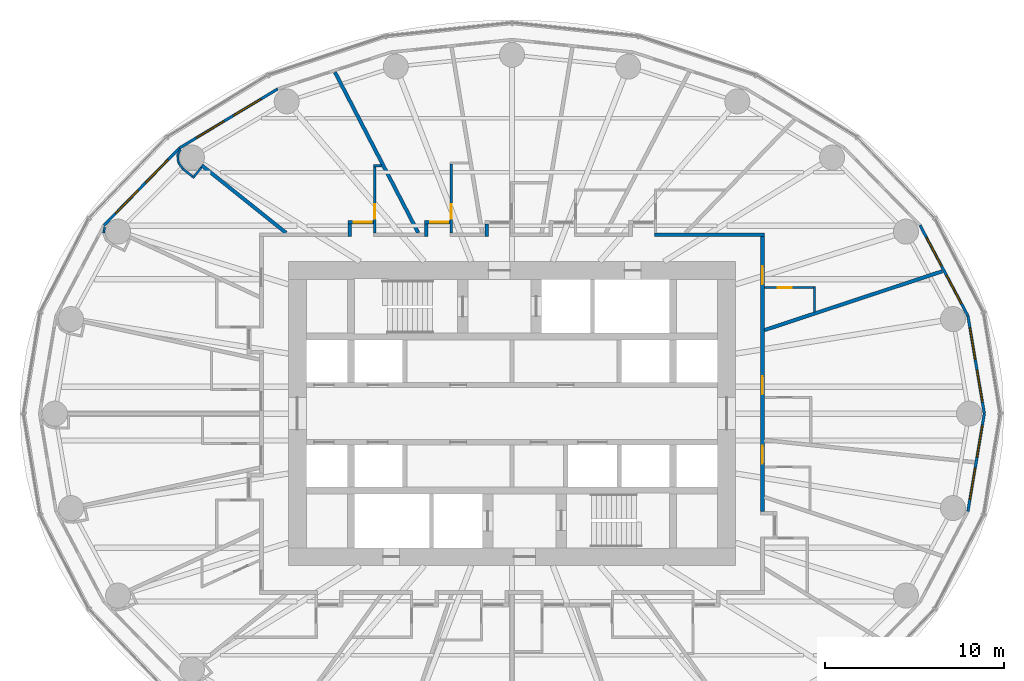
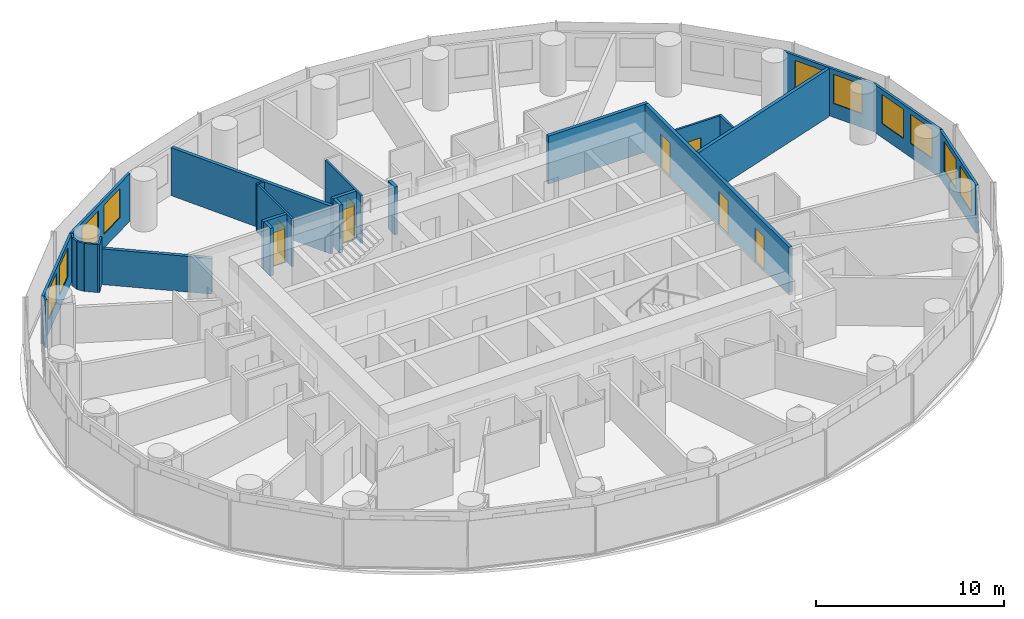
# One storey, part 11 of 14: 26 walls, 10 windows, 8 doors, 18 openings.
"""IFC4 building model written with IfcOpenShell, lengths in metres."""

from ifc_helpers import new_model, si_unit, direction, frame, frame_2d, origin, place, context, subcontext, project, spatial, rectangle, extrude, material, layer, layer_set, type_object, element, fill, save


model = new_model("IFC4")

# Units and contexts
model_context = context("Model", 3, precision=1e-05, world=origin(), true_north=direction((0.0, 1.0)))
body_context = subcontext(model_context, "Body", "Model", "MODEL_VIEW")
ifc_project = project(units=[si_unit("LENGTHUNIT", "METRE"), si_unit("AREAUNIT", "SQUARE_METRE"), si_unit("VOLUMEUNIT", "CUBIC_METRE"), si_unit("PLANEANGLEUNIT", "RADIAN"), si_unit("MASSUNIT", "GRAM", prefix="KILO")], contexts=[model_context])

# Site, building, storey
site_placement = place(None, origin())
site = spatial("IfcSite", under=ifc_project, at=site_placement, CompositionType="ELEMENT")
building_placement = place(site_placement, origin())
building = spatial("IfcBuilding", under=site, at=building_placement, Name="Hankou Lantern Tower", CompositionType="ELEMENT")
storey_placement = place(building_placement, frame((0.0, 0.0, 57.300048828125)))
storey = spatial("IfcBuildingStorey", under=building, at=storey_placement, Name="L13", CompositionType="ELEMENT", Elevation=57.300048828125)

# Wall, openings, windows
ifc_material_1 = material(Name="Aluminium spandrel panel on steel studs", Category="steel")
ifc_layer_1 = layer(ifc_material_1, 0.14990234375)
ifc_layer_set_1 = layer_set([ifc_layer_1], Name="Aluminium spandrel panel on steel studs")
wall_type_1 = type_object("IfcWallType", Name="EW1 INNER SKIN WALL 150", PredefinedType="ELEMENTEDWALL", material=ifc_layer_set_1)
wall_1_placement = place(storey_placement, frame((26.39990234375, 0.0, 0.0), z_axis=(0.0, 0.0, 1.0), x_axis=(-0.165642551694, 0.986185857264, 0.0)))
wall_1 = element("IfcWall", 1, at=wall_1_placement, inside=storey, type_object=wall_type_1, Name="Inner skin R01-R02 L13", PredefinedType="ELEMENTEDWALL", context=body_context, shape_type="SweptSolid", body=[
    extrude(rectangle(XDim=5.538818359375, YDim=0.14990234375, at=frame_2d((2.76953125, 0.0))), origin(), (0.0, 0.0, 1.0), 3.119873046875),
])
opening_1_placement = place(wall_1_placement, frame((0.66943359375, 0.0, 0.89990234375)))
opening_1 = element("IfcOpeningElement", 2, at=opening_1_placement, cuts=wall_1, Name="Opening W1", PredefinedType="OPENING", context=body_context, shape_type="SweptSolid", body=[
    extrude(rectangle(XDim=1.800048828125, YDim=1.89990234375, at=frame_2d((0.89990234375, 0.949951171875))), frame((0.0, 0.0849609375, 0.0), z_axis=(0.0, -1.0, 0.0), x_axis=(1.0, 0.0, 0.0)), (0.0, 0.0, 1.0), 0.169921875),
])
opening_2_placement = place(wall_1_placement, frame((3.069580078125, 0.0, 0.89990234375)))
opening_2 = element("IfcOpeningElement", 3, at=opening_2_placement, cuts=wall_1, Name="Opening W1", PredefinedType="OPENING", context=body_context, shape_type="SweptSolid", body=[
    extrude(rectangle(XDim=1.800048828125, YDim=1.89990234375, at=frame_2d((0.89990234375, 0.949951171875))), frame((0.0, 0.0849609375, 0.0), z_axis=(0.0, -1.0, 0.0), x_axis=(1.0, 0.0, 0.0)), (0.0, 0.0, 1.0), 0.169921875),
])
ifc_material_2 = material(Name="Aluminium framed double glazed window", Category="aluminium")
window_type = type_object("IfcWindowType", Name="W1 GUEST ROOM WINDOW 1800X1900", PartitioningType="DOUBLE_PANEL_VERTICAL", PredefinedType="WINDOW", material=ifc_material_2)
window_1_placement = place(opening_1_placement, origin())
window_1 = element("IfcWindow", 4, at=window_1_placement, inside=storey, type_object=window_type, Name="Window R01.1 L13", OverallHeight=1.89990234375, OverallWidth=1.800048828125, PartitioningType="SINGLE_PANEL", PredefinedType="WINDOW", context=body_context, shape_type="SweptSolid", body=[
    extrude(rectangle(XDim=1.800048828125, YDim=1.89990234375, at=frame_2d((0.89990234375, 0.949951171875))), frame((0.0, 0.030029296875, 0.0), z_axis=(0.0, -1.0, 0.0), x_axis=(1.0, 0.0, 0.0)), (0.0, 0.0, 1.0), 0.06005859375),
])
fill(opening_1, window_1)
window_2_placement = place(opening_2_placement, origin())
window_2 = element("IfcWindow", 5, at=window_2_placement, inside=storey, type_object=window_type, Name="Window R01.2 L13", OverallHeight=1.89990234375, OverallWidth=1.800048828125, PartitioningType="SINGLE_PANEL", PredefinedType="WINDOW", context=body_context, shape_type="SweptSolid", body=[
    extrude(rectangle(XDim=1.800048828125, YDim=1.89990234375, at=frame_2d((0.89990234375, 0.949951171875))), frame((0.0, 0.030029296875, 0.0), z_axis=(0.0, -1.0, 0.0), x_axis=(1.0, 0.0, 0.0)), (0.0, 0.0, 1.0), 0.06005859375),
])
fill(opening_2, window_2)

wall_2_placement = place(storey_placement, frame((25.482421875, 5.46240234375, 0.0), z_axis=(0.0, 0.0, 1.0), x_axis=(-0.467296867008, 0.884100468321, 0.0)))
wall_2 = element("IfcWall", 6, at=wall_2_placement, inside=storey, type_object=wall_type_1, Name="Inner skin R02-R03 L13", PredefinedType="ELEMENTEDWALL", context=body_context, shape_type="SweptSolid", body=[
    extrude(rectangle(XDim=5.734375, YDim=0.14990234375, at=frame_2d((2.8671875, 0.0))), origin(), (0.0, 0.0, 1.0), 3.119873046875),
])
opening_3_placement = place(wall_2_placement, frame((0.76708984375, 0.0, 0.89990234375)))
opening_3 = element("IfcOpeningElement", 7, at=opening_3_placement, cuts=wall_2, Name="Opening W1", PredefinedType="OPENING", context=body_context, shape_type="SweptSolid", body=[
    extrude(rectangle(XDim=1.800048828125, YDim=1.89990234375, at=frame_2d((0.89990234375, 0.949951171875))), frame((0.0, 0.0849609375, 0.0), z_axis=(0.0, -1.0, 0.0), x_axis=(1.0, 0.0, 0.0)), (0.0, 0.0, 1.0), 0.169921875),
])
opening_4_placement = place(wall_2_placement, frame((3.167236328125, 0.0, 0.89990234375)))
opening_4 = element("IfcOpeningElement", 8, at=opening_4_placement, cuts=wall_2, Name="Opening W1", PredefinedType="OPENING", context=body_context, shape_type="SweptSolid", body=[
    extrude(rectangle(XDim=1.800048828125, YDim=1.89990234375, at=frame_2d((0.89990234375, 0.949951171875))), frame((0.0, 0.0849609375, 0.0), z_axis=(0.0, -1.0, 0.0), x_axis=(1.0, 0.0, 0.0)), (0.0, 0.0, 1.0), 0.169921875),
])
window_3_placement = place(opening_3_placement, origin())
window_3 = element("IfcWindow", 9, at=window_3_placement, inside=storey, type_object=window_type, Name="Window R02.1 L13", OverallHeight=1.89990234375, OverallWidth=1.800048828125, PartitioningType="SINGLE_PANEL", PredefinedType="WINDOW", context=body_context, shape_type="SweptSolid", body=[
    extrude(rectangle(XDim=1.800048828125, YDim=1.89990234375, at=frame_2d((0.89990234375, 0.949951171875))), frame((0.0, 0.030029296875, 0.0), z_axis=(0.0, -1.0, 0.0), x_axis=(1.0, 0.0, 0.0)), (0.0, 0.0, 1.0), 0.06005859375),
])
fill(opening_3, window_3)
window_4_placement = place(opening_4_placement, origin())
window_4 = element("IfcWindow", 10, at=window_4_placement, inside=storey, type_object=window_type, Name="Window R02.2 L13", OverallHeight=1.89990234375, OverallWidth=1.800048828125, PartitioningType="SINGLE_PANEL", PredefinedType="WINDOW", context=body_context, shape_type="SweptSolid", body=[
    extrude(rectangle(XDim=1.800048828125, YDim=1.89990234375, at=frame_2d((0.89990234375, 0.949951171875))), frame((0.0, 0.030029296875, 0.0), z_axis=(0.0, -1.0, 0.0), x_axis=(1.0, 0.0, 0.0)), (0.0, 0.0, 1.0), 0.06005859375),
])
fill(opening_4, window_4)

wall_3_placement = place(storey_placement, frame((-13.096435546875, 18.14697265625, 0.0), z_axis=(0.0, 0.0, 1.0), x_axis=(-0.856983180864, -0.515344377787, 0.0)))
wall_3 = element("IfcWall", 11, at=wall_3_placement, inside=storey, type_object=wall_type_1, Name="Inner skin R09-R10 L13", PredefinedType="ELEMENTEDWALL", context=body_context, shape_type="SweptSolid", body=[
    extrude(rectangle(XDim=6.386474609375, YDim=0.14990234375, at=frame_2d((3.193359375, 0.0))), origin(), (0.0, 0.0, 1.0), 3.119873046875),
])
opening_5_placement = place(wall_3_placement, frame((1.09326171875, 0.0, 0.89990234375)))
opening_5 = element("IfcOpeningElement", 12, at=opening_5_placement, cuts=wall_3, Name="Opening W1", PredefinedType="OPENING", context=body_context, shape_type="SweptSolid", body=[
    extrude(rectangle(XDim=1.800048828125, YDim=1.89990234375, at=frame_2d((0.89990234375, 0.949951171875))), frame((0.0, 0.0849609375, 0.0), z_axis=(0.0, -1.0, 0.0), x_axis=(1.0, 0.0, 0.0)), (0.0, 0.0, 1.0), 0.169921875),
])
opening_6_placement = place(wall_3_placement, frame((3.4931640625, 0.0, 0.89990234375)))
opening_6 = element("IfcOpeningElement", 13, at=opening_6_placement, cuts=wall_3, Name="Opening W1", PredefinedType="OPENING", context=body_context, shape_type="SweptSolid", body=[
    extrude(rectangle(XDim=1.800048828125, YDim=1.89990234375, at=frame_2d((0.89990234375, 0.949951171875))), frame((0.0, 0.0849609375, 0.0), z_axis=(0.0, -1.0, 0.0), x_axis=(1.0, 0.0, 0.0)), (0.0, 0.0, 1.0), 0.169921875),
])
window_5_placement = place(opening_5_placement, origin())
window_5 = element("IfcWindow", 14, at=window_5_placement, inside=storey, type_object=window_type, Name="Window R09.1 L13", OverallHeight=1.89990234375, OverallWidth=1.800048828125, PartitioningType="SINGLE_PANEL", PredefinedType="WINDOW", context=body_context, shape_type="SweptSolid", body=[
    extrude(rectangle(XDim=1.800048828125, YDim=1.89990234375, at=frame_2d((0.89990234375, 0.949951171875))), frame((0.0, 0.030029296875, 0.0), z_axis=(0.0, -1.0, 0.0), x_axis=(1.0, 0.0, 0.0)), (0.0, 0.0, 1.0), 0.06005859375),
])
fill(opening_5, window_5)
window_6_placement = place(opening_6_placement, origin())
window_6 = element("IfcWindow", 15, at=window_6_placement, inside=storey, type_object=window_type, Name="Window R09.2 L13", OverallHeight=1.89990234375, OverallWidth=1.800048828125, PartitioningType="SINGLE_PANEL", PredefinedType="WINDOW", context=body_context, shape_type="SweptSolid", body=[
    extrude(rectangle(XDim=1.800048828125, YDim=1.89990234375, at=frame_2d((0.89990234375, 0.949951171875))), frame((0.0, 0.030029296875, 0.0), z_axis=(0.0, -1.0, 0.0), x_axis=(1.0, 0.0, 0.0)), (0.0, 0.0, 1.0), 0.06005859375),
])
fill(opening_6, window_6)

wall_4_placement = place(storey_placement, frame((-18.569580078125, 14.855712890625, 0.0), z_axis=(0.0, 0.0, 1.0), x_axis=(-0.699602905915, -0.714531856557, 0.0)))
wall_4 = element("IfcWall", 16, at=wall_4_placement, inside=storey, type_object=wall_type_1, Name="Inner skin R10-R11 L13", PredefinedType="ELEMENTEDWALL", context=body_context, shape_type="SweptSolid", body=[
    extrude(rectangle(XDim=6.05078125, YDim=0.14990234375, at=frame_2d((3.025390625, 0.0))), origin(), (0.0, 0.0, 1.0), 3.119873046875),
])
opening_7_placement = place(wall_4_placement, frame((0.925537109375, 0.0, 0.89990234375)))
opening_7 = element("IfcOpeningElement", 17, at=opening_7_placement, cuts=wall_4, Name="Opening W1", PredefinedType="OPENING", context=body_context, shape_type="SweptSolid", body=[
    extrude(rectangle(XDim=1.800048828125, YDim=1.89990234375, at=frame_2d((0.89990234375, 0.949951171875))), frame((0.0, 0.0849609375, 0.0), z_axis=(0.0, -1.0, 0.0), x_axis=(1.0, 0.0, 0.0)), (0.0, 0.0, 1.0), 0.169921875),
])
opening_8_placement = place(wall_4_placement, frame((3.325439453125, 0.0, 0.89990234375)))
opening_8 = element("IfcOpeningElement", 18, at=opening_8_placement, cuts=wall_4, Name="Opening W1", PredefinedType="OPENING", context=body_context, shape_type="SweptSolid", body=[
    extrude(rectangle(XDim=1.800048828125, YDim=1.89990234375, at=frame_2d((0.89990234375, 0.949951171875))), frame((0.0, 0.0849609375, 0.0), z_axis=(0.0, -1.0, 0.0), x_axis=(1.0, 0.0, 0.0)), (0.0, 0.0, 1.0), 0.169921875),
])
window_7_placement = place(opening_7_placement, origin())
window_7 = element("IfcWindow", 19, at=window_7_placement, inside=storey, type_object=window_type, Name="Window R10.1 L13", OverallHeight=1.89990234375, OverallWidth=1.800048828125, PartitioningType="SINGLE_PANEL", PredefinedType="WINDOW", context=body_context, shape_type="SweptSolid", body=[
    extrude(rectangle(XDim=1.800048828125, YDim=1.89990234375, at=frame_2d((0.89990234375, 0.949951171875))), frame((0.0, 0.030029296875, 0.0), z_axis=(0.0, -1.0, 0.0), x_axis=(1.0, 0.0, 0.0)), (0.0, 0.0, 1.0), 0.06005859375),
])
fill(opening_7, window_7)
window_8_placement = place(opening_8_placement, origin())
window_8 = element("IfcWindow", 20, at=window_8_placement, inside=storey, type_object=window_type, Name="Window R10.2 L13", OverallHeight=1.89990234375, OverallWidth=1.800048828125, PartitioningType="SINGLE_PANEL", PredefinedType="WINDOW", context=body_context, shape_type="SweptSolid", body=[
    extrude(rectangle(XDim=1.800048828125, YDim=1.89990234375, at=frame_2d((0.89990234375, 0.949951171875))), frame((0.0, 0.030029296875, 0.0), z_axis=(0.0, -1.0, 0.0), x_axis=(1.0, 0.0, 0.0)), (0.0, 0.0, 1.0), 0.06005859375),
])
fill(opening_8, window_8)

wall_5_placement = place(storey_placement, frame((25.482421875, -5.46240234375, 0.0), z_axis=(0.0, 0.0, 1.0), x_axis=(0.165642551694, 0.986185857264, 0.0)))
wall_5 = element("IfcWall", 21, at=wall_5_placement, inside=storey, type_object=wall_type_1, Name="Inner skin R24-R01 L13", PredefinedType="ELEMENTEDWALL", context=body_context, shape_type="SweptSolid", body=[
    extrude(rectangle(XDim=5.538818359375, YDim=0.14990234375, at=frame_2d((2.76953125, 0.0))), origin(), (0.0, 0.0, 1.0), 3.119873046875),
])
opening_9_placement = place(wall_5_placement, frame((0.66943359375, 0.0, 0.89990234375)))
opening_9 = element("IfcOpeningElement", 22, at=opening_9_placement, cuts=wall_5, Name="Opening W1", PredefinedType="OPENING", context=body_context, shape_type="SweptSolid", body=[
    extrude(rectangle(XDim=1.800048828125, YDim=1.89990234375, at=frame_2d((0.89990234375, 0.949951171875))), frame((0.0, 0.0849609375, 0.0), z_axis=(0.0, -1.0, 0.0), x_axis=(1.0, 0.0, 0.0)), (0.0, 0.0, 1.0), 0.169921875),
])
opening_10_placement = place(wall_5_placement, frame((3.069580078125, 0.0, 0.89990234375)))
opening_10 = element("IfcOpeningElement", 23, at=opening_10_placement, cuts=wall_5, Name="Opening W1", PredefinedType="OPENING", context=body_context, shape_type="SweptSolid", body=[
    extrude(rectangle(XDim=1.800048828125, YDim=1.89990234375, at=frame_2d((0.89990234375, 0.949951171875))), frame((0.0, 0.0849609375, 0.0), z_axis=(0.0, -1.0, 0.0), x_axis=(1.0, 0.0, 0.0)), (0.0, 0.0, 1.0), 0.169921875),
])
window_9_placement = place(opening_9_placement, origin())
window_9 = element("IfcWindow", 24, at=window_9_placement, inside=storey, type_object=window_type, Name="Window R24.1 L13", OverallHeight=1.89990234375, OverallWidth=1.800048828125, PartitioningType="SINGLE_PANEL", PredefinedType="WINDOW", context=body_context, shape_type="SweptSolid", body=[
    extrude(rectangle(XDim=1.800048828125, YDim=1.89990234375, at=frame_2d((0.89990234375, 0.949951171875))), frame((0.0, 0.030029296875, 0.0), z_axis=(0.0, -1.0, 0.0), x_axis=(1.0, 0.0, 0.0)), (0.0, 0.0, 1.0), 0.06005859375),
])
fill(opening_9, window_9)
window_10_placement = place(opening_10_placement, origin())
window_10 = element("IfcWindow", 25, at=window_10_placement, inside=storey, type_object=window_type, Name="Window R24.2 L13", OverallHeight=1.89990234375, OverallWidth=1.800048828125, PartitioningType="SINGLE_PANEL", PredefinedType="WINDOW", context=body_context, shape_type="SweptSolid", body=[
    extrude(rectangle(XDim=1.800048828125, YDim=1.89990234375, at=frame_2d((0.89990234375, 0.949951171875))), frame((0.0, 0.030029296875, 0.0), z_axis=(0.0, -1.0, 0.0), x_axis=(1.0, 0.0, 0.0)), (0.0, 0.0, 1.0), 0.06005859375),
])
fill(opening_10, window_10)

# Walls
ifc_material_3 = material(Name="Masonry lightweight concrete block", Category="masonry")
ifc_layer_2 = layer(ifc_material_3, 0.199951171875)
ifc_layer_set_2 = layer_set([ifc_layer_2], Name="Masonry lightweight concrete block")
wall_type_2 = type_object("IfcWallType", Name="IW1 GUEST ROOM PARTY WALL 200", PredefinedType="PARTITIONING", material=ifc_layer_set_2)
wall_6_placement = place(storey_placement, frame((14.10009765625, 4.6630859375, 0.0), z_axis=(0.0, 0.0, 1.0), x_axis=(0.949432655039, 0.31397075269, 0.0)))
element("IfcWall", 26, at=wall_6_placement, inside=storey, type_object=wall_type_2, Name="Party wall R02-R03", PredefinedType="PARTITIONING", context=body_context, shape_type="SweptSolid", body=[
    extrude(rectangle(XDim=10.48583984375, YDim=0.199951171875, at=frame_2d((5.242919921875, 0.0))), origin(), (0.0, 0.0, 1.0), 3.119873046875),
])
wall_7_placement = place(storey_placement, frame((-5.238525390625, 10.10009765625, 0.0), z_axis=(0.0, 0.0, 1.0), x_axis=(-0.460422783389, 0.887699758103, 0.0)))
element("IfcWall", 27, at=wall_7_placement, inside=storey, type_object=wall_type_2, Name="Party wall R08-R09", PredefinedType="PARTITIONING", context=body_context, shape_type="SweptSolid", body=[
    extrude(rectangle(XDim=10.120361328125, YDim=0.199951171875, at=frame_2d((5.06005859375, 0.0))), origin(), (0.0, 0.0, 1.0), 3.119873046875),
])
ifc_material_4 = material(Name="Masonry lightweight concrete block", Category="masonry")
ifc_layer_3 = layer(ifc_material_4, 0.199951171875)
ifc_layer_set_3 = layer_set([ifc_layer_3], Name="Masonry lightweight concrete block")
wall_type_3 = type_object("IfcWallType", Name="IW2 CORRIDOR WALL 200", PredefinedType="PARTITIONING", material=ifc_layer_set_3)
wall_8_placement = place(storey_placement, frame((-1.4150390625, 9.89990234375, 0.0), z_axis=(0.0, 0.0, 1.0), x_axis=(0.0, 1.0, 0.0)))
element("IfcWall", 28, at=wall_8_placement, inside=storey, type_object=wall_type_3, Name="Corridor recess wall 1303 side", PredefinedType="PARTITIONING", context=body_context, shape_type="SweptSolid", body=[
    extrude(rectangle(XDim=0.7001953125, YDim=0.199951171875, at=frame_2d((0.35009765625, 0.0))), origin(), (0.0, 0.0, 1.0), 3.119873046875),
])

# Wall, opening, door
wall_9_placement = place(storey_placement, frame((-4.89501953125, 10.699951171875, 0.0), z_axis=(0.0, 0.0, 1.0), x_axis=(1.0, 0.0, 0.0)))
wall_9 = element("IfcWall", 29, at=wall_9_placement, inside=storey, type_object=wall_type_3, Name="Corridor recess wall 1304 back", PredefinedType="PARTITIONING", context=body_context, shape_type="SweptSolid", body=[
    extrude(rectangle(XDim=1.43994140625, YDim=0.199951171875, at=frame_2d((0.719970703125, 0.0))), origin(), (0.0, 0.0, 1.0), 3.119873046875),
])
opening_11_placement = place(wall_9_placement, frame((0.320068359375, 0.0, 0.0)))
opening_11 = element("IfcOpeningElement", 30, at=opening_11_placement, cuts=wall_9, Name="Opening D1", PredefinedType="OPENING", context=body_context, shape_type="SweptSolid", body=[
    extrude(rectangle(XDim=1.0, YDim=2.199951171875, at=frame_2d((0.5, 1.10009765625))), frame((0.0, 0.10986328125, 0.0), z_axis=(0.0, -1.0, 0.0), x_axis=(1.0, 0.0, 0.0)), (0.0, 0.0, 1.0), 0.219970703125),
])
ifc_material_5 = material(Name="Steel door leaf", Category="steel")
door_type_1 = type_object("IfcDoorType", Name="D1 GUEST ROOM DOOR 1000X2200", OperationType="SINGLE_SWING_LEFT", PredefinedType="DOOR", material=ifc_material_5)
door_1_placement = place(opening_11_placement, origin())
door_1 = element("IfcDoor", 31, at=door_1_placement, inside=storey, type_object=door_type_1, Name="Guest room door 1304", OperationType="SINGLE_SWING_RIGHT", OverallHeight=2.199951171875, OverallWidth=1.0, PredefinedType="DOOR", context=body_context, shape_type="SweptSolid", body=[
    extrude(rectangle(XDim=1.0, YDim=2.199951171875, at=frame_2d((0.5, 1.10009765625))), frame((0.0, 0.02490234375, 0.0), z_axis=(0.0, -1.0, 0.0), x_axis=(1.0, 0.0, 0.0)), (0.0, 0.0, 1.0), 0.050048828125),
])
fill(opening_11, door_1)

# Wall
wall_10_placement = place(storey_placement, frame((-4.794921875, 9.89990234375, 0.0), z_axis=(0.0, 0.0, 1.0), x_axis=(0.0, 1.0, 0.0)))
element("IfcWall", 32, at=wall_10_placement, inside=storey, type_object=wall_type_3, Name="Corridor recess wall 1304 side", PredefinedType="PARTITIONING", context=body_context, shape_type="SweptSolid", body=[
    extrude(rectangle(XDim=0.7001953125, YDim=0.199951171875, at=frame_2d((0.35009765625, 0.0))), origin(), (0.0, 0.0, 1.0), 3.119873046875),
])

# Wall, opening, door
wall_11_placement = place(storey_placement, frame((-9.168701171875, 10.699951171875, 0.0), z_axis=(0.0, 0.0, 1.0), x_axis=(1.0, 0.0, 0.0)))
wall_11 = element("IfcWall", 33, at=wall_11_placement, inside=storey, type_object=wall_type_3, Name="Corridor recess wall 1305 back", PredefinedType="PARTITIONING", context=body_context, shape_type="SweptSolid", body=[
    extrude(rectangle(XDim=1.440185546875, YDim=0.199951171875, at=frame_2d((0.72021484375, 0.0))), origin(), (0.0, 0.0, 1.0), 3.119873046875),
])
opening_12_placement = place(wall_11_placement, frame((0.320068359375, 0.0, 0.0)))
opening_12 = element("IfcOpeningElement", 34, at=opening_12_placement, cuts=wall_11, Name="Opening D1", PredefinedType="OPENING", context=body_context, shape_type="SweptSolid", body=[
    extrude(rectangle(XDim=1.0, YDim=2.199951171875, at=frame_2d((0.5, 1.10009765625))), frame((0.0, 0.10986328125, 0.0), z_axis=(0.0, -1.0, 0.0), x_axis=(1.0, 0.0, 0.0)), (0.0, 0.0, 1.0), 0.219970703125),
])
door_2_placement = place(opening_12_placement, origin())
door_2 = element("IfcDoor", 35, at=door_2_placement, inside=storey, type_object=door_type_1, Name="Guest room door 1305", OperationType="SINGLE_SWING_RIGHT", OverallHeight=2.199951171875, OverallWidth=1.0, PredefinedType="DOOR", context=body_context, shape_type="SweptSolid", body=[
    extrude(rectangle(XDim=1.0, YDim=2.199951171875, at=frame_2d((0.5, 1.10009765625))), frame((0.0, 0.02490234375, 0.0), z_axis=(0.0, -1.0, 0.0), x_axis=(1.0, 0.0, 0.0)), (0.0, 0.0, 1.0), 0.050048828125),
])
fill(opening_12, door_2)

# Walls
wall_12_placement = place(storey_placement, frame((-9.068603515625, 9.89990234375, 0.0), z_axis=(0.0, 0.0, 1.0), x_axis=(0.0, 1.0, 0.0)))
element("IfcWall", 36, at=wall_12_placement, inside=storey, type_object=wall_type_3, Name="Corridor recess wall 1305 side", PredefinedType="PARTITIONING", context=body_context, shape_type="SweptSolid", body=[
    extrude(rectangle(XDim=0.7001953125, YDim=0.199951171875, at=frame_2d((0.35009765625, 0.0))), origin(), (0.0, 0.0, 1.0), 3.119873046875),
])
wall_13_placement = place(storey_placement, frame((7.965087890625, 10.0, 0.0), z_axis=(0.0, 0.0, 1.0), x_axis=(1.0, 0.0, 0.0)))
element("IfcWall", 37, at=wall_13_placement, inside=storey, type_object=wall_type_3, Name="Corridor wall north", PredefinedType="PARTITIONING", context=body_context, shape_type="SweptSolid", body=[
    extrude(rectangle(XDim=6.135009765625, YDim=0.199951171875, at=frame_2d((3.0673828125, 0.0))), origin(), (0.0, 0.0, 1.0), 3.119873046875),
])

# Wall, openings, doors
wall_14_placement = place(storey_placement, frame((14.0, -5.458984375, 0.0), z_axis=(0.0, 0.0, 1.0), x_axis=(0.0, 1.0, 0.0)))
wall_14 = element("IfcWall", 38, at=wall_14_placement, inside=storey, type_object=wall_type_3, Name="Corridor wall east", PredefinedType="PARTITIONING", context=body_context, shape_type="SweptSolid", body=[
    extrude(rectangle(XDim=15.35888671875, YDim=0.199951171875, at=frame_2d((7.679443359375, 0.0))), origin(), (0.0, 0.0, 1.0), 3.119873046875),
])
opening_13_placement = place(wall_14_placement, frame((2.656005859375, 0.0, 0.0)))
opening_13 = element("IfcOpeningElement", 39, at=opening_13_placement, cuts=wall_14, Name="Opening D1", PredefinedType="OPENING", context=body_context, shape_type="SweptSolid", body=[
    extrude(rectangle(XDim=1.0, YDim=2.199951171875, at=frame_2d((0.5, 1.10009765625))), frame((0.0, 0.10986328125, 0.0), z_axis=(0.0, -1.0, 0.0), x_axis=(1.0, 0.0, 0.0)), (0.0, 0.0, 1.0), 0.219970703125),
])
opening_14_placement = place(wall_14_placement, frame((6.537109375, 0.0, 0.0)))
opening_14 = element("IfcOpeningElement", 40, at=opening_14_placement, cuts=wall_14, Name="Opening D2", PredefinedType="OPENING", context=body_context, shape_type="SweptSolid", body=[
    extrude(rectangle(XDim=1.0, YDim=2.199951171875, at=frame_2d((0.5, 1.10009765625))), frame((0.0, 0.10986328125, 0.0), z_axis=(0.0, -1.0, 0.0), x_axis=(1.0, 0.0, 0.0)), (0.0, 0.0, 1.0), 0.219970703125),
])
opening_15_placement = place(wall_14_placement, frame((12.681884765625, 0.0, 0.0)))
opening_15 = element("IfcOpeningElement", 41, at=opening_15_placement, cuts=wall_14, Name="Opening D2", PredefinedType="OPENING", context=body_context, shape_type="SweptSolid", body=[
    extrude(rectangle(XDim=1.0, YDim=2.199951171875, at=frame_2d((0.5, 1.10009765625))), frame((0.0, 0.10986328125, 0.0), z_axis=(0.0, -1.0, 0.0), x_axis=(1.0, 0.0, 0.0)), (0.0, 0.0, 1.0), 0.219970703125),
])
door_3_placement = place(opening_13_placement, origin())
door_3 = element("IfcDoor", 42, at=door_3_placement, inside=storey, type_object=door_type_1, Name="Guest room door 1319", OperationType="SINGLE_SWING_RIGHT", OverallHeight=2.199951171875, OverallWidth=1.0, PredefinedType="DOOR", context=body_context, shape_type="SweptSolid", body=[
    extrude(rectangle(XDim=1.0, YDim=2.199951171875, at=frame_2d((0.5, 1.10009765625))), frame((0.0, 0.02490234375, 0.0), z_axis=(0.0, -1.0, 0.0), x_axis=(1.0, 0.0, 0.0)), (0.0, 0.0, 1.0), 0.050048828125),
])
fill(opening_13, door_3)
ifc_material_6 = material(Name="Steel door leaf", Category="steel")
door_type_2 = type_object("IfcDoorType", Name="D2 SUITE DOOR 1000X2200", OperationType="SINGLE_SWING_LEFT", PredefinedType="DOOR", material=ifc_material_6)
door_4_placement = place(opening_14_placement, origin())
door_4 = element("IfcDoor", 43, at=door_4_placement, inside=storey, type_object=door_type_2, Name="Suite door 1320", OperationType="SINGLE_SWING_RIGHT", OverallHeight=2.199951171875, OverallWidth=1.0, PredefinedType="DOOR", context=body_context, shape_type="SweptSolid", body=[
    extrude(rectangle(XDim=1.0, YDim=2.199951171875, at=frame_2d((0.5, 1.10009765625))), frame((0.0, 0.02490234375, 0.0), z_axis=(0.0, -1.0, 0.0), x_axis=(1.0, 0.0, 0.0)), (0.0, 0.0, 1.0), 0.050048828125),
])
fill(opening_14, door_4)
door_5_placement = place(opening_15_placement, origin())
door_5 = element("IfcDoor", 44, at=door_5_placement, inside=storey, type_object=door_type_2, Name="Suite door 1321", OperationType="SINGLE_SWING_RIGHT", OverallHeight=2.199951171875, OverallWidth=1.0, PredefinedType="DOOR", context=body_context, shape_type="SweptSolid", body=[
    extrude(rectangle(XDim=1.0, YDim=2.199951171875, at=frame_2d((0.5, 1.10009765625))), frame((0.0, 0.02490234375, 0.0), z_axis=(0.0, -1.0, 0.0), x_axis=(1.0, 0.0, 0.0)), (0.0, 0.0, 1.0), 0.050048828125),
])
fill(opening_15, door_5)

# Wall, opening, door
ifc_material_7 = material(Name="Masonry lightweight concrete block", Category="masonry")
ifc_layer_4 = layer(ifc_material_7, 0.1201171875)
ifc_layer_set_4 = layer_set([ifc_layer_4], Name="Masonry lightweight concrete block")
wall_type_4 = type_object("IfcWallType", Name="IW3 BATHROOM WALL 120", PredefinedType="PARTITIONING", material=ifc_layer_set_4)
wall_15_placement = place(storey_placement, frame((-3.39501953125, 10.10009765625, 0.0), z_axis=(0.0, 0.0, 1.0), x_axis=(0.0, 1.0, 0.0)))
wall_15 = element("IfcWall", 45, at=wall_15_placement, inside=storey, type_object=wall_type_4, Name="Box wall 1304 1", PredefinedType="PARTITIONING", context=body_context, shape_type="SweptSolid", body=[
    extrude(rectangle(XDim=3.83984375, YDim=0.1201171875, at=frame_2d((1.919921875, 0.0))), origin(), (0.0, 0.0, 1.0), 3.119873046875),
])
opening_16_placement = place(wall_15_placement, frame((0.800048828125, 0.0, 0.0)))
opening_16 = element("IfcOpeningElement", 46, at=opening_16_placement, cuts=wall_15, Name="Opening D3", PredefinedType="OPENING", context=body_context, shape_type="SweptSolid", body=[
    extrude(rectangle(XDim=0.800048828125, YDim=2.10009765625, at=frame_2d((0.39990234375, 1.050048828125))), frame((0.0, 0.070068359375, 0.0), z_axis=(0.0, -1.0, 0.0), x_axis=(1.0, 0.0, 0.0)), (0.0, 0.0, 1.0), 0.14013671875),
])
ifc_material_8 = material(Name="Timber door leaf", Category="wood")
door_type_3 = type_object("IfcDoorType", Name="D3 BATHROOM DOOR 800X2100", OperationType="SINGLE_SWING_LEFT", PredefinedType="DOOR", material=ifc_material_8)
door_6_placement = place(opening_16_placement, origin())
door_6 = element("IfcDoor", 47, at=door_6_placement, inside=storey, type_object=door_type_3, Name="En-suite bathroom 1304 door", OperationType="SINGLE_SWING_LEFT", OverallHeight=2.10009765625, OverallWidth=0.800048828125, PredefinedType="DOOR", context=body_context, shape_type="SweptSolid", body=[
    extrude(rectangle(XDim=0.800048828125, YDim=2.10009765625, at=frame_2d((0.39990234375, 1.050048828125))), frame((0.0, 0.02490234375, 0.0), z_axis=(0.0, -1.0, 0.0), x_axis=(1.0, 0.0, 0.0)), (0.0, 0.0, 1.0), 0.050048828125),
])
fill(opening_16, door_6)

# Wall
wall_16_placement = place(storey_placement, frame((-7.28369140625, 13.85009765625, 0.0), z_axis=(0.0, 0.0, 1.0), x_axis=(-1.0, 0.0, 0.0)))
element("IfcWall", 48, at=wall_16_placement, inside=storey, type_object=wall_type_4, Name="Box wall 1305 1", PredefinedType="PARTITIONING", context=body_context, shape_type="SweptSolid", body=[
    extrude(rectangle(XDim=0.44482421875, YDim=0.1201171875, at=frame_2d((0.222412109375, 0.0))), origin(), (0.0, 0.0, 1.0), 3.119873046875),
])

# Wall, opening, door
wall_17_placement = place(storey_placement, frame((-7.668701171875, 10.10009765625, 0.0), z_axis=(0.0, 0.0, 1.0), x_axis=(0.0, 1.0, 0.0)))
wall_17 = element("IfcWall", 49, at=wall_17_placement, inside=storey, type_object=wall_type_4, Name="Box wall 1305 1", PredefinedType="PARTITIONING", context=body_context, shape_type="SweptSolid", body=[
    extrude(rectangle(XDim=3.68994140625, YDim=0.1201171875, at=frame_2d((1.844970703125, 0.0))), origin(), (0.0, 0.0, 1.0), 3.119873046875),
])
opening_17_placement = place(wall_17_placement, frame((0.800048828125, 0.0, 0.0)))
opening_17 = element("IfcOpeningElement", 50, at=opening_17_placement, cuts=wall_17, Name="Opening D3", PredefinedType="OPENING", context=body_context, shape_type="SweptSolid", body=[
    extrude(rectangle(XDim=0.800048828125, YDim=2.10009765625, at=frame_2d((0.39990234375, 1.050048828125))), frame((0.0, 0.070068359375, 0.0), z_axis=(0.0, -1.0, 0.0), x_axis=(1.0, 0.0, 0.0)), (0.0, 0.0, 1.0), 0.14013671875),
])
door_7_placement = place(opening_17_placement, origin())
door_7 = element("IfcDoor", 51, at=door_7_placement, inside=storey, type_object=door_type_3, Name="En-suite bathroom 1305 door", OperationType="SINGLE_SWING_LEFT", OverallHeight=2.10009765625, OverallWidth=0.800048828125, PredefinedType="DOOR", context=body_context, shape_type="SweptSolid", body=[
    extrude(rectangle(XDim=0.800048828125, YDim=2.10009765625, at=frame_2d((0.39990234375, 1.050048828125))), frame((0.0, 0.02490234375, 0.0), z_axis=(0.0, -1.0, 0.0), x_axis=(1.0, 0.0, 0.0)), (0.0, 0.0, 1.0), 0.050048828125),
])
fill(opening_17, door_7)

# Wall
wall_18_placement = place(storey_placement, frame((16.89990234375, 5.68896484375, 0.0), z_axis=(0.0, 0.0, 1.0), x_axis=(0.0, 1.0, 0.0)))
element("IfcWall", 52, at=wall_18_placement, inside=storey, type_object=wall_type_4, Name="Box wall 1321 1", PredefinedType="PARTITIONING", context=body_context, shape_type="SweptSolid", body=[
    extrude(rectangle(XDim=1.4140625, YDim=0.1201171875, at=frame_2d((0.70703125, 0.0))), origin(), (0.0, 0.0, 1.0), 3.119873046875),
])

# Wall, opening, door
wall_19_placement = place(storey_placement, frame((14.10009765625, 7.04296875, 0.0), z_axis=(0.0, 0.0, 1.0), x_axis=(1.0, 0.0, 0.0)))
wall_19 = element("IfcWall", 53, at=wall_19_placement, inside=storey, type_object=wall_type_4, Name="Box wall 1321 1", PredefinedType="PARTITIONING", context=body_context, shape_type="SweptSolid", body=[
    extrude(rectangle(XDim=2.739990234375, YDim=0.1201171875, at=frame_2d((1.3701171875, 0.0))), origin(), (0.0, 0.0, 1.0), 3.119873046875),
])
opening_18_placement = place(wall_19_placement, frame((0.75, 0.0, 0.0)))
opening_18 = element("IfcOpeningElement", 54, at=opening_18_placement, cuts=wall_19, Name="Opening D3", PredefinedType="OPENING", context=body_context, shape_type="SweptSolid", body=[
    extrude(rectangle(XDim=0.800048828125, YDim=2.10009765625, at=frame_2d((0.39990234375, 1.050048828125))), frame((0.0, 0.070068359375, 0.0), z_axis=(0.0, -1.0, 0.0), x_axis=(1.0, 0.0, 0.0)), (0.0, 0.0, 1.0), 0.14013671875),
])
door_8_placement = place(opening_18_placement, origin())
door_8 = element("IfcDoor", 55, at=door_8_placement, inside=storey, type_object=door_type_3, Name="Junior suite 1321 bathroom door", OperationType="SINGLE_SWING_LEFT", OverallHeight=2.10009765625, OverallWidth=0.800048828125, PredefinedType="DOOR", context=body_context, shape_type="SweptSolid", body=[
    extrude(rectangle(XDim=0.800048828125, YDim=2.10009765625, at=frame_2d((0.39990234375, 1.050048828125))), frame((0.0, 0.02490234375, 0.0), z_axis=(0.0, -1.0, 0.0), x_axis=(1.0, 0.0, 0.0)), (0.0, 0.0, 1.0), 0.050048828125),
])
fill(opening_18, door_8)

# Walls
ifc_material_9 = material(Name="Masonry lightweight concrete block", Category="masonry")
ifc_layer_5 = layer(ifc_material_9, 0.1201171875)
ifc_layer_set_5 = layer_set([ifc_layer_5], Name="Masonry lightweight concrete block")
wall_type_5 = type_object("IfcWallType", Name="IW4 PARTITION 120", PredefinedType="PARTITIONING", material=ifc_layer_set_5)
wall_20_placement = place(storey_placement, frame((-17.36083984375, 13.760498046875, 0.0), z_axis=(0.0, 0.0, 1.0), x_axis=(-0.624501042889, -0.781023973659, 0.0)))
element("IfcWall", 56, at=wall_20_placement, inside=storey, type_object=wall_type_5, Name="Column casing R10 return", PredefinedType="PARTITIONING", context=body_context, shape_type="SweptSolid", body=[
    extrude(rectangle(XDim=0.767333984375, YDim=0.1201171875, at=frame_2d((0.3837890625, 0.0))), origin(), (0.0, 0.0, 1.0), 3.119873046875),
])
wall_21_placement = place(storey_placement, frame((-17.849609375, 13.24560546875, 0.0), z_axis=(0.0, 0.0, 1.0), x_axis=(-0.780902834923, 0.62465251333, 0.0)))
element("IfcWall", 57, at=wall_21_placement, inside=storey, type_object=wall_type_5, Name="Column casing R10", PredefinedType="PARTITIONING", context=body_context, shape_type="SweptSolid", body=[
    extrude(rectangle(XDim=0.699951171875, YDim=0.1201171875, at=frame_2d((0.35009765625, 0.0))), origin(), (0.0, 0.0, 1.0), 3.119873046875),
])
for number, where, z_axis, x_axis, name in (
    (58, (-18.396240234375, 13.682861328125, 0.0), (0.0, 0.0, 1.0), (-0.592401603461, 0.805642811807, 0.0), "Column casing R10"),
    (59, (-18.643798828125, 14.01953125, 0.0), (0.0, 0.0, 1.0), (-0.110367433259, 0.993890854006, 0.0), "Column casing R10"),
):
    element("IfcWall", number, at=place(storey_placement, frame(where, z_axis=z_axis, x_axis=x_axis)), inside=storey, type_object=wall_type_5, Name=name, PredefinedType="PARTITIONING", context=body_context, shape_type="SweptSolid", body=[
        extrude(rectangle(XDim=0.41796875, YDim=0.1201171875, at=frame_2d((0.208984375, 0.0))), origin(), (0.0, 0.0, 1.0), 3.119873046875),
    ])
wall_22_placement = place(storey_placement, frame((-18.68994140625, 14.43505859375, 0.0), z_axis=(0.0, 0.0, 1.0), x_axis=(0.401093412634, 0.91603715773, 0.0)))
element("IfcWall", 60, at=wall_22_placement, inside=storey, type_object=wall_type_5, Name="Column casing R10", PredefinedType="PARTITIONING", context=body_context, shape_type="SweptSolid", body=[
    extrude(rectangle(XDim=0.373046875, YDim=0.1201171875, at=frame_2d((0.1865234375, 0.0))), origin(), (0.0, 0.0, 1.0), 3.119873046875),
])
wall_23_placement = place(storey_placement, frame((-22.8232421875, 10.096923828125, 0.0), z_axis=(0.0, 0.0, 1.0), x_axis=(0.169674995186, 0.985500074079, 0.0)))
element("IfcWall", 61, at=wall_23_placement, inside=storey, type_object=wall_type_5, Name="Column casing R11", PredefinedType="PARTITIONING", context=body_context, shape_type="SweptSolid", body=[
    extrude(rectangle(XDim=0.3525390625, YDim=0.1201171875, at=frame_2d((0.17626953125, 0.0))), origin(), (0.0, 0.0, 1.0), 3.119873046875),
])
ifc_material_10 = material(Name="Masonry lightweight concrete block", Category="masonry")
ifc_layer_6 = layer(ifc_material_10, 0.199951171875)
ifc_layer_set_6 = layer_set([ifc_layer_6], Name="Masonry lightweight concrete block")
wall_type_6 = type_object("IfcWallType", Name="IW8 PARTITION 200", PredefinedType="PARTITIONING", material=ifc_layer_set_6)
wall_24_placement = place(storey_placement, frame((-12.625, 10.10009765625, 0.0), z_axis=(0.0, 0.0, 1.0), x_axis=(-0.780892451574, 0.624665493744, 0.0)))
element("IfcWall", 62, at=wall_24_placement, inside=storey, type_object=wall_type_6, Name="Partition R10", PredefinedType="PARTITIONING", context=body_context, shape_type="SweptSolid", body=[
    extrude(rectangle(XDim=6.044677734375, YDim=0.199951171875, at=frame_2d((3.0224609375, 0.0))), origin(), (0.0, 0.0, 1.0), 2.320068359375),
])

save(model, "model.ifc")
